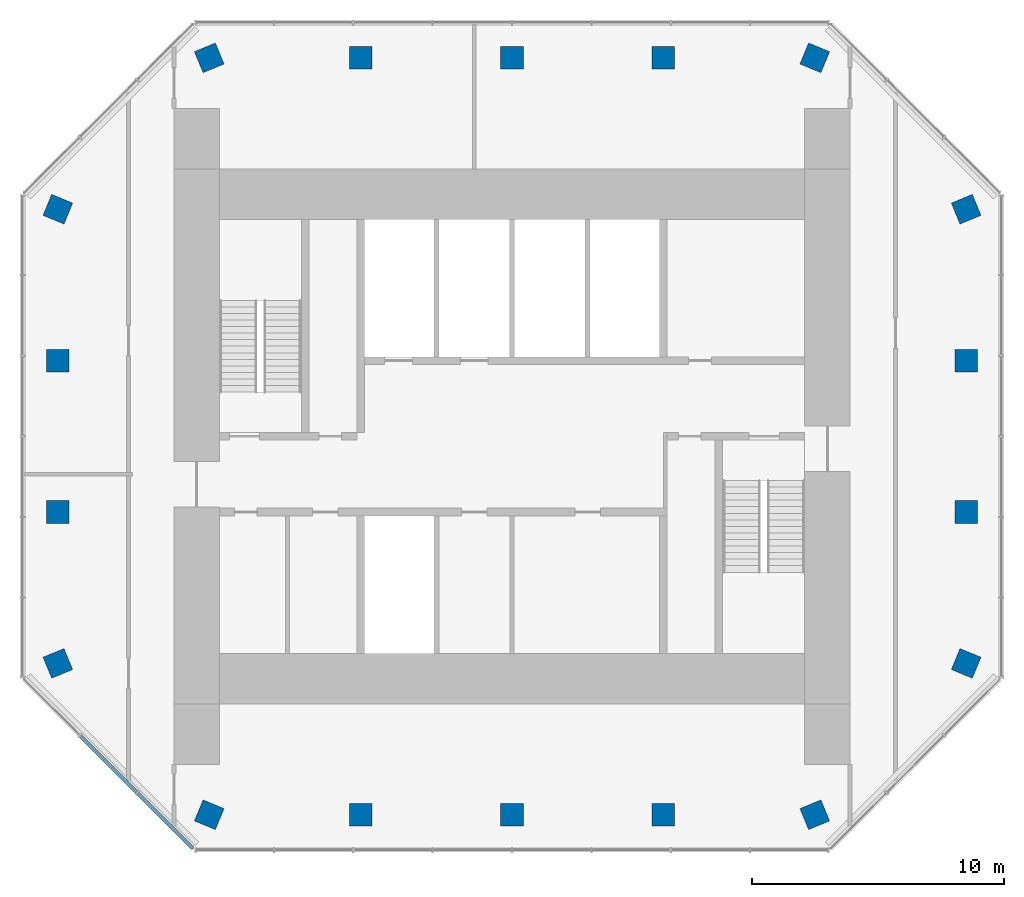
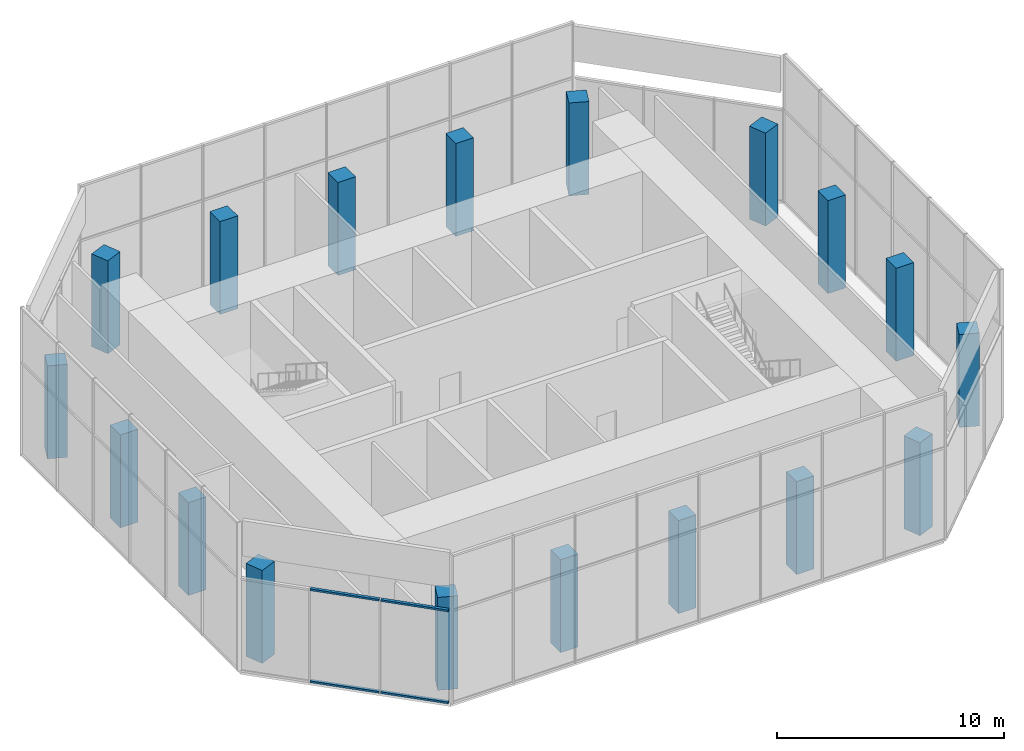
# One storey, part 1 of 9: 18 columns, 4 members, 1 element without a shape of its own.
"""IFC4 building model written with IfcOpenShell, lengths in metres."""

from ifc_helpers import new_model, si_unit, direction, frame, origin, origin_2d, place, context, subcontext, project, spatial, rectangle, extrude, material, layer, layer_set, material_profile, profile_set, type_object, element, aggregate, save


model = new_model("IFC4")

# Units and contexts
model_context = context("Model", 3, precision=1e-05, world=origin(), true_north=direction((0.0, 1.0)))
body_context = subcontext(model_context, "Body", "Model", "MODEL_VIEW")
ifc_project = project(units=[si_unit("LENGTHUNIT", "METRE"), si_unit("AREAUNIT", "SQUARE_METRE"), si_unit("VOLUMEUNIT", "CUBIC_METRE"), si_unit("PLANEANGLEUNIT", "RADIAN"), si_unit("MASSUNIT", "GRAM", prefix="KILO")], contexts=[model_context])

# Site, building, storey
site_placement = place(None, origin())
site = spatial("IfcSite", under=ifc_project, at=site_placement, CompositionType="ELEMENT")
building_placement = place(site_placement, origin())
building = spatial("IfcBuilding", under=site, at=building_placement, Name="Highveld Stack Headquarters", CompositionType="ELEMENT")
storey_placement = place(building_placement, frame((0.0, 0.0, 300.699951171875)))
storey = spatial("IfcBuildingStorey", under=building, at=storey_placement, Name="L74", CompositionType="ELEMENT", Elevation=300.699951171875)

# Columns
ifc_material_1 = material(Name="Concrete C60/75", Category="concrete")
ifc_material_profile_1 = material_profile(ifc_material_1, rectangle(XDim=0.89990234375, YDim=0.89990234375, at=origin_2d()), Name="RC 900x900")
ifc_profile_set_1 = profile_set([ifc_material_profile_1], Name="Concrete C60/75")
column_type = type_object("IfcColumnType", Name="COLUMN RC 900x900 C60/75", PredefinedType="COLUMN", material=ifc_profile_set_1)
for number, where, z_axis, x_axis, name in (
    (1, (-12.0, -6.0, 0.0), (0.0, 0.0, 1.0), (-0.382683432365, 0.923879532511, 0.0), "Column 4/D L74"),
    (2, (-12.0, 0.0, 0.0), (0.0, 0.0, 1.0), (0.0, 1.0, 0.0), "Column 4/E L74"),
    (3, (-12.0, 6.0, 0.0), (0.0, 0.0, 1.0), (0.0, 1.0, 0.0), "Column 4/F L74"),
    (4, (-12.0, 12.0, 0.0), (0.0, 0.0, 1.0), (0.382683432365, 0.923879532511, 0.0), "Column 4/G L74"),
    (5, (-6.0, -12.0, 0.0), (0.0, 0.0, 1.0), (-0.923879532511, 0.382683432365, 0.0), "Column 5/C L74"),
    (6, (-6.0, 18.0, 0.0), (0.0, 0.0, 1.0), (0.923879532511, 0.382683432365, 0.0), "Column 5/H L74"),
    (7, (0.0, -12.0, 0.0), (0.0, 0.0, 1.0), (1.0, 0.0, 0.0), "Column 6/C L74"),
    (8, (0.0, 18.0, 0.0), (0.0, 0.0, 1.0), (1.0, 0.0, 0.0), "Column 6/H L74"),
    (9, (6.0, -12.0, 0.0), (0.0, 0.0, 1.0), (1.0, 0.0, 0.0), "Column 7/C L74"),
    (10, (6.0, 18.0, 0.0), (0.0, 0.0, 1.0), (1.0, 0.0, 0.0), "Column 7/H L74"),
    (11, (12.0, -12.0, 0.0), (0.0, 0.0, 1.0), (1.0, 0.0, 0.0), "Column 8/C L74"),
    (12, (12.0, 18.0, 0.0), (0.0, 0.0, 1.0), (1.0, 0.0, 0.0), "Column 8/H L74"),
    (13, (18.0, -12.0, 0.0), (0.0, 0.0, 1.0), (-0.923879532511, -0.382683432365, 0.0), "Column 9/C L74"),
    (14, (18.0, 18.0, 0.0), (0.0, 0.0, 1.0), (0.923879532511, -0.382683432365, 0.0), "Column 9/H L74"),
    (15, (24.0, -6.0, 0.0), (0.0, 0.0, 1.0), (-0.382683432365, -0.923879532511, 0.0), "Column 10/D L74"),
    (16, (24.0, 0.0, 0.0), (0.0, 0.0, 1.0), (0.0, 1.0, 0.0), "Column 10/E L74"),
    (17, (24.0, 6.0, 0.0), (0.0, 0.0, 1.0), (0.0, 1.0, 0.0), "Column 10/F L74"),
    (18, (24.0, 12.0, 0.0), (0.0, 0.0, 1.0), (0.382683432365, -0.923879532511, 0.0), "Column 10/G L74"),
):
    element("IfcColumn", number, at=place(storey_placement, frame(where, z_axis=z_axis, x_axis=x_axis)), inside=storey, type_object=column_type, Name=name, PredefinedType="COLUMN", context=body_context, shape_type="SweptSolid", body=[
        extrude(rectangle(XDim=0.89990234375, YDim=0.89990234375, at=origin_2d()), origin(), (0.0, 0.0, 1.0), 5.0),
    ])

# Curtain wall, members
ifc_material_2 = material(Name="Aluminium bronze anodised", Category="aluminium")
ifc_layer = layer(ifc_material_2, 0.199951171875)
ifc_layer_set = layer_set([ifc_layer], Name="Aluminium bronze anodised")
curtain_wall_type = type_object("IfcCurtainWallType", Name="CW4 LANTERN CURTAIN WALL", PredefinedType="NOTDEFINED", material=ifc_layer_set)
curtain_wall_placement = place(storey_placement, origin())
curtain_wall = element("IfcCurtainWall", 19, at=curtain_wall_placement, inside=storey, type_object=curtain_wall_type, Name="Curtain wall CW4 L74 SW", PredefinedType="NOTDEFINED")
ifc_material_3 = material(Name="Aluminium bronze anodised", Category="aluminium")
ifc_material_profile_2 = material_profile(ifc_material_3, rectangle(XDim=0.14990234375, YDim=0.10009765625, at=origin_2d()), Name="CW4 TRANSOM 150x100")
ifc_profile_set_2 = profile_set([ifc_material_profile_2], Name="Aluminium bronze anodised")
member_type = type_object("IfcMemberType", Name="CW4 STACK TRANSOM 150x100", PredefinedType="USERDEFINED", material=ifc_profile_set_2)
member_1_placement = place(storey_placement, frame((-11.103759765625, -8.876220703125, 0.050048828125), z_axis=(0.707106781187, -0.707106781187, 0.0), x_axis=(0.707106781187, 0.707106781187, 0.0)))
member_1 = element("IfcMember", 20, at=member_1_placement, type_object=member_type, Name="CW4 transom L74 2.1", ObjectType="TRANSOM", PredefinedType="USERDEFINED", context=body_context, shape_type="SweptSolid", body=[
    extrude(rectangle(XDim=0.14990234375, YDim=0.10009765625, at=origin_2d()), origin(), (0.0, 0.0, 1.0), 3.150146484375),
])
member_2_placement = place(storey_placement, frame((-11.103759765625, -8.876220703125, 5.0), z_axis=(0.707106781187, -0.707106781187, 0.0), x_axis=(0.707106781187, 0.707106781187, 0.0)))
member_2 = element("IfcMember", 21, at=member_2_placement, type_object=member_type, Name="CW4 transom L74 2.2", ObjectType="TRANSOM", PredefinedType="USERDEFINED", context=body_context, shape_type="SweptSolid", body=[
    extrude(rectangle(XDim=0.14990234375, YDim=0.10009765625, at=origin_2d()), origin(), (0.0, 0.0, 1.0), 3.150146484375),
])
member_3_placement = place(storey_placement, frame((-8.830322265625, -11.149658203125, 0.050048828125), z_axis=(0.707106781187, -0.707106781187, 0.0), x_axis=(0.707106781187, 0.707106781187, 0.0)))
member_3 = element("IfcMember", 22, at=member_3_placement, type_object=member_type, Name="CW4 transom L74 3.1", ObjectType="TRANSOM", PredefinedType="USERDEFINED", context=body_context, shape_type="SweptSolid", body=[
    extrude(rectangle(XDim=0.14990234375, YDim=0.10009765625, at=origin_2d()), origin(), (0.0, 0.0, 1.0), 3.08251953125),
])
member_4_placement = place(storey_placement, frame((-8.830322265625, -11.149658203125, 5.0), z_axis=(0.707106781187, -0.707106781187, 0.0), x_axis=(0.707106781187, 0.707106781187, 0.0)))
member_4 = element("IfcMember", 23, at=member_4_placement, type_object=member_type, Name="CW4 transom L74 3.2", ObjectType="TRANSOM", PredefinedType="USERDEFINED", context=body_context, shape_type="SweptSolid", body=[
    extrude(rectangle(XDim=0.14990234375, YDim=0.10009765625, at=origin_2d()), origin(), (0.0, 0.0, 1.0), 3.08251953125),
])
aggregate(curtain_wall, [member_1, member_2, member_3, member_4])

save(model, "model.ifc")
